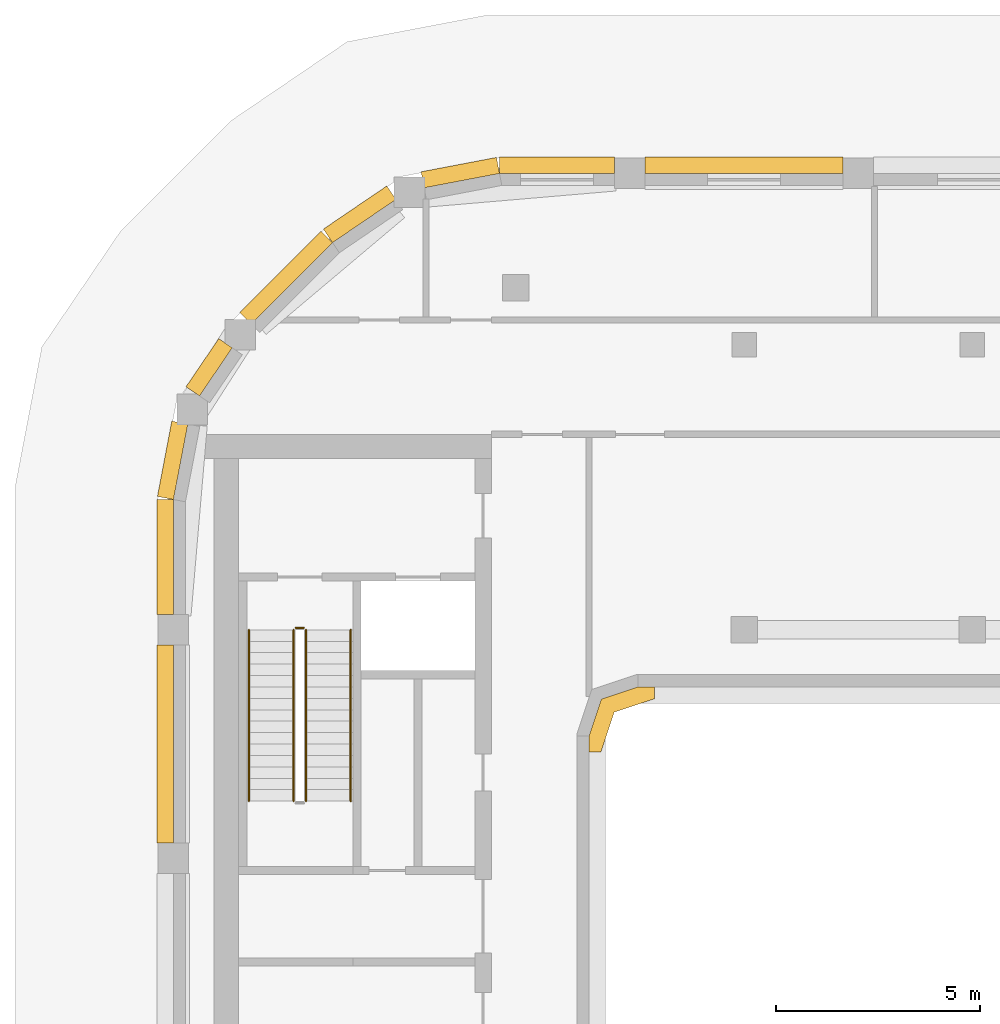
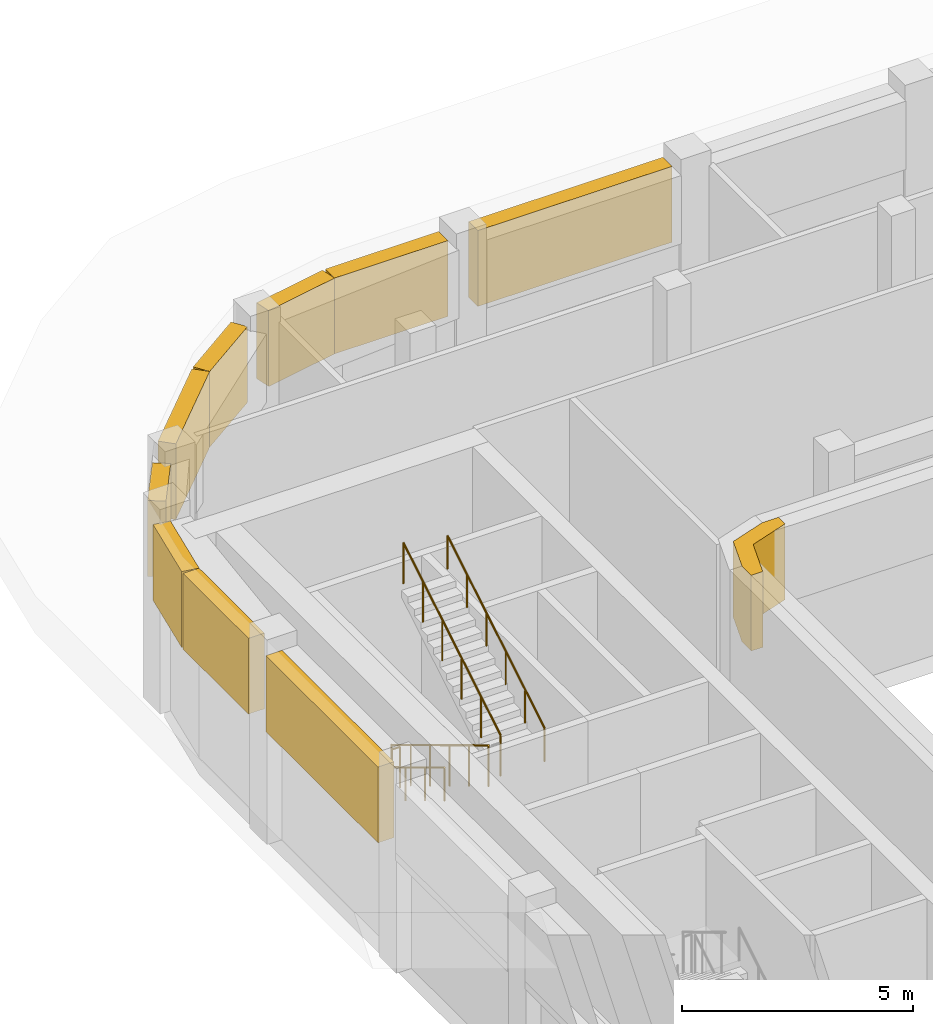
# One storey, part 15 of 17: 10 coverings, 5 railings.
"""IFC4 building model written with IfcOpenShell, lengths in metres."""

from ifc_helpers import new_model, si_unit, direction, frame, origin, origin_2d, place, context, subcontext, project, spatial, polyline, rectangle, circle, outline, extrude, material, type_object, element, save


model = new_model("IFC4")

# Units and contexts
model_context = context("Model", 3, precision=1e-05, world=origin(), true_north=direction((0.0, 1.0)))
body_context = subcontext(model_context, "Body", "Model", "MODEL_VIEW")
ifc_project = project(units=[si_unit("LENGTHUNIT", "METRE"), si_unit("AREAUNIT", "SQUARE_METRE"), si_unit("VOLUMEUNIT", "CUBIC_METRE"), si_unit("PLANEANGLEUNIT", "RADIAN"), si_unit("MASSUNIT", "GRAM", prefix="KILO")], contexts=[model_context])

# Site, building, storey
site_placement = place(None, origin())
site = spatial("IfcSite", under=ifc_project, at=site_placement, CompositionType="ELEMENT")
building_placement = place(site_placement, origin())
building = spatial("IfcBuilding", under=site, at=building_placement, Name="Kiln Ring Residences", CompositionType="ELEMENT")
storey_placement = place(building_placement, frame((0.0, 0.0, 289.10009765625)))
storey = spatial("IfcBuildingStorey", under=building, at=storey_placement, Name="L75", CompositionType="ELEMENT", Elevation=289.10009765625)

# Railings
ifc_material_1 = material(Name="Stainless steel", Category="steel")
railing_type_1 = type_object("IfcRailingType", Name="CORE-STAIR-GUARD", PredefinedType="GUARDRAIL", material=ifc_material_1)
railing_1_placement = place(storey_placement, frame((-22.25, 8.39990234375, 0.168701171875)))
element("IfcRailing", 1, at=railing_1_placement, inside=storey, type_object=railing_type_1, Name="L75 W-STN stair guard 1", PredefinedType="GUARDRAIL", context=body_context, shape_type="SweptSolid", body=[
    extrude(circle(Radius=0.02392578125, at=origin_2d()), frame((0.0, 0.0, 1.076171875), z_axis=(0.0, -0.856476492594, 0.516186030065), x_axis=(1.0, 0.0, 0.0)), (0.0, 0.0, 1.0), 4.90380859375),
    extrude(circle(Radius=0.02099609375, at=origin_2d()), origin(), (0.0, 0.0, 1.0), 1.052001953125),
    extrude(circle(Radius=0.02099609375, at=origin_2d()), frame((0.0, -0.840087890625, 0.50634765625)), (0.0, 0.0, 1.0), 1.052001953125),
    extrude(circle(Radius=0.02099609375, at=origin_2d()), frame((0.0, -1.679931640625, 1.012451171875)), (0.0, 0.0, 1.0), 1.052001953125),
    extrude(circle(Radius=0.02099609375, at=origin_2d()), frame((0.0, -2.52001953125, 1.518798828125)), (0.0, 0.0, 1.0), 1.052001953125),
    extrude(circle(Radius=0.02099609375, at=origin_2d()), frame((0.0, -3.35986328125, 2.02490234375)), (0.0, 0.0, 1.0), 1.052001953125),
    extrude(circle(Radius=0.02099609375, at=origin_2d()), frame((0.0, -4.199951171875, 2.53125)), (0.0, 0.0, 1.0), 1.052001953125),
])
railing_2_placement = place(storey_placement, frame((-21.949951171875, 4.199951171875, 2.86865234375)))
element("IfcRailing", 2, at=railing_2_placement, inside=storey, type_object=railing_type_1, Name="L75 W-STN stair guard 3", PredefinedType="GUARDRAIL", context=body_context, shape_type="SweptSolid", body=[
    extrude(circle(Radius=0.02392578125, at=origin_2d()), frame((0.0, 0.0, 1.076171875), z_axis=(0.0, 0.856476492594, 0.516186030065), x_axis=(-1.0, 0.0, 0.0)), (0.0, 0.0, 1.0), 4.90380859375),
    extrude(circle(Radius=0.02099609375, at=origin_2d()), origin(), (0.0, 0.0, 1.0), 1.052001953125),
    extrude(circle(Radius=0.02099609375, at=origin_2d()), frame((0.0, 0.840087890625, 0.50634765625)), (0.0, 0.0, 1.0), 1.052001953125),
    extrude(circle(Radius=0.02099609375, at=origin_2d()), frame((0.0, 1.679931640625, 1.012451171875)), (0.0, 0.0, 1.0), 1.052001953125),
    extrude(circle(Radius=0.02099609375, at=origin_2d()), frame((0.0, 2.52001953125, 1.518798828125)), (0.0, 0.0, 1.0), 1.052001953125),
    extrude(circle(Radius=0.02099609375, at=origin_2d()), frame((0.0, 3.35986328125, 2.02490234375)), (0.0, 0.0, 1.0), 1.052001953125),
    extrude(circle(Radius=0.02099609375, at=origin_2d()), frame((0.0, 4.199951171875, 2.53125)), (0.0, 0.0, 1.0), 1.052001953125),
])
railing_3_placement = place(storey_placement, frame((-22.199951171875, 8.449951171875, 0.0)))
element("IfcRailing", 3, at=railing_3_placement, inside=storey, type_object=railing_type_1, Name="L75 W-STN stair guard 4", PredefinedType="GUARDRAIL", context=body_context, shape_type="SweptSolid", body=[
    extrude(circle(Radius=0.02392578125, at=origin_2d()), frame((0.0, 0.0, 1.076171875), z_axis=(1.0, 0.0, 0.0), x_axis=(0.0, 1.0, 0.0)), (0.0, 0.0, 1.0), 0.199951171875),
    extrude(circle(Radius=0.02099609375, at=origin_2d()), origin(), (0.0, 0.0, 1.0), 1.052001953125),
    extrude(circle(Radius=0.02099609375, at=origin_2d()), frame((0.199951171875, 0.0, 0.0)), (0.0, 0.0, 1.0), 1.052001953125),
])
ifc_material_2 = material(Name="Stainless steel", Category="steel")
railing_type_2 = type_object("IfcRailingType", Name="CORE-STAIR-HANDRAIL", PredefinedType="HANDRAIL", material=ifc_material_2)
railing_4_placement = place(storey_placement, frame((-23.35009765625, 8.39990234375, 0.168701171875)))
element("IfcRailing", 4, at=railing_4_placement, inside=storey, type_object=railing_type_2, Name="L75 W-STN stair handrail 1", PredefinedType="HANDRAIL", context=body_context, shape_type="SweptSolid", body=[
    extrude(circle(Radius=0.02392578125, at=origin_2d()), frame((0.0, 0.0, 0.8759765625), z_axis=(0.0, -0.856476492594, 0.516186030065), x_axis=(1.0, 0.0, 0.0)), (0.0, 0.0, 1.0), 4.90380859375),
    extrude(circle(Radius=0.02099609375, at=origin_2d()), origin(), (0.0, 0.0, 1.0), 0.851806640625),
    extrude(circle(Radius=0.02099609375, at=origin_2d()), frame((0.0, -0.840087890625, 0.50634765625)), (0.0, 0.0, 1.0), 0.851806640625),
    extrude(circle(Radius=0.02099609375, at=origin_2d()), frame((0.0, -1.679931640625, 1.012451171875)), (0.0, 0.0, 1.0), 0.851806640625),
    extrude(circle(Radius=0.02099609375, at=origin_2d()), frame((0.0, -2.52001953125, 1.518798828125)), (0.0, 0.0, 1.0), 0.851806640625),
    extrude(circle(Radius=0.02099609375, at=origin_2d()), frame((0.0, -3.35986328125, 2.02490234375)), (0.0, 0.0, 1.0), 0.851806640625),
    extrude(circle(Radius=0.02099609375, at=origin_2d()), frame((0.0, -4.199951171875, 2.53125)), (0.0, 0.0, 1.0), 0.851806640625),
])
railing_5_placement = place(storey_placement, frame((-20.85009765625, 4.199951171875, 2.86865234375)))
element("IfcRailing", 5, at=railing_5_placement, inside=storey, type_object=railing_type_2, Name="L75 W-STN stair handrail 2", PredefinedType="HANDRAIL", context=body_context, shape_type="SweptSolid", body=[
    extrude(circle(Radius=0.02392578125, at=origin_2d()), frame((0.0, 0.0, 0.8759765625), z_axis=(0.0, 0.856476492594, 0.516186030065), x_axis=(-1.0, 0.0, 0.0)), (0.0, 0.0, 1.0), 4.90380859375),
    extrude(circle(Radius=0.02099609375, at=origin_2d()), origin(), (0.0, 0.0, 1.0), 0.851806640625),
    extrude(circle(Radius=0.02099609375, at=origin_2d()), frame((0.0, 0.840087890625, 0.50634765625)), (0.0, 0.0, 1.0), 0.851806640625),
    extrude(circle(Radius=0.02099609375, at=origin_2d()), frame((0.0, 1.679931640625, 1.012451171875)), (0.0, 0.0, 1.0), 0.851806640625),
    extrude(circle(Radius=0.02099609375, at=origin_2d()), frame((0.0, 2.52001953125, 1.518798828125)), (0.0, 0.0, 1.0), 0.851806640625),
    extrude(circle(Radius=0.02099609375, at=origin_2d()), frame((0.0, 3.35986328125, 2.02490234375)), (0.0, 0.0, 1.0), 0.851806640625),
    extrude(circle(Radius=0.02099609375, at=origin_2d()), frame((0.0, 4.199951171875, 2.53125)), (0.0, 0.0, 1.0), 0.851806640625),
])

# Coverings
ifc_material_3 = material(Name="Concrete C35/45, exposed aggregate finish", Category="concrete")
covering_type = type_object("IfcCoveringType", Name="TIE BAND 2000 x 400", PredefinedType="CLADDING", material=ifc_material_3)
covering_1_placement = place(storey_placement, frame((-11.199951171875, 19.800048828125, 3.0), z_axis=(0.0, 0.0, 1.0), x_axis=(-1.0, 0.0, 0.0)))
element("IfcCovering", 6, at=covering_1_placement, inside=storey, type_object=covering_type, Name="TIE BAND L75", PredefinedType="CLADDING", context=body_context, shape_type="SweptSolid", body=[
    extrude(rectangle(XDim=4.85009765625, YDim=0.39990234375, at=origin_2d()), origin(), (0.0, 0.0, 1.0), 2.0),
])
covering_2_placement = place(storey_placement, frame((-15.78759765625, 19.800048828125, 3.0), z_axis=(0.0, 0.0, 1.0), x_axis=(-1.0, 0.0, 0.0)))
element("IfcCovering", 7, at=covering_2_placement, inside=storey, type_object=covering_type, Name="TIE BAND L75", PredefinedType="CLADDING", context=body_context, shape_type="SweptSolid", body=[
    extrude(rectangle(XDim=2.824951171875, YDim=0.39990234375, at=origin_2d()), origin(), (0.0, 0.0, 1.0), 2.0),
])
for number, where, z_axis, x_axis, name in (
    (8, (-18.161376953125, 19.6201171875, 3.0), (0.0, 0.0, 1.0), (-0.98229025778, -0.187365550382, 0.0), "TIE BAND L75"),
    (9, (-20.631591796875, 18.596923828125, 3.0), (0.0, 0.0, 1.0), (-0.827071553606, -0.562096651134, 0.0), "TIE BAND L75"),
):
    element("IfcCovering", number, at=place(storey_placement, frame(where, z_axis=z_axis, x_axis=x_axis)), inside=storey, type_object=covering_type, Name=name, PredefinedType="CLADDING", context=body_context, shape_type="SweptSolid", body=[
        extrude(rectangle(XDim=1.881103515625, YDim=0.39990234375, at=origin_2d()), origin(), (0.0, 0.0, 1.0), 2.0),
    ])
covering_3_placement = place(storey_placement, frame((-22.437255859375, 17.045654296875, 3.0), z_axis=(0.0, 0.0, 1.0), x_axis=(-0.707106781187, -0.707106781187, 0.0)))
element("IfcCovering", 10, at=covering_3_placement, inside=storey, type_object=covering_type, Name="TIE BAND L75", PredefinedType="CLADDING", context=body_context, shape_type="SweptSolid", body=[
    extrude(rectangle(XDim=2.824951171875, YDim=0.39990234375, at=origin_2d()), origin(), (0.0, 0.0, 1.0), 2.0),
])
covering_4_placement = place(storey_placement, frame((-24.32470703125, 14.84375, 3.0), z_axis=(0.0, 0.0, 1.0), x_axis=(-0.562096651134, -0.827071553606, 0.0)))
element("IfcCovering", 11, at=covering_4_placement, inside=storey, type_object=covering_type, Name="TIE BAND L75", PredefinedType="CLADDING", context=body_context, shape_type="SweptSolid", body=[
    extrude(rectangle(XDim=1.427001953125, YDim=0.39990234375, at=origin_2d()), origin(), (0.0, 0.0, 1.0), 2.0),
])
covering_5_placement = place(storey_placement, frame((-25.22021484375, 12.561279296875, 3.0), z_axis=(0.0, 0.0, 1.0), x_axis=(-0.187365550382, -0.98229025778, 0.0)))
element("IfcCovering", 12, at=covering_5_placement, inside=storey, type_object=covering_type, Name="TIE BAND L75", PredefinedType="CLADDING", context=body_context, shape_type="SweptSolid", body=[
    extrude(rectangle(XDim=1.881103515625, YDim=0.39990234375, at=origin_2d()), origin(), (0.0, 0.0, 1.0), 2.0),
])
covering_6_placement = place(storey_placement, frame((-25.39990234375, 10.1875, 3.0), z_axis=(0.0, 0.0, 1.0), x_axis=(0.0, -1.0, 0.0)))
element("IfcCovering", 13, at=covering_6_placement, inside=storey, type_object=covering_type, Name="TIE BAND L75", PredefinedType="CLADDING", context=body_context, shape_type="SweptSolid", body=[
    extrude(rectangle(XDim=2.824951171875, YDim=0.39990234375, at=origin_2d()), origin(), (0.0, 0.0, 1.0), 2.0),
])
covering_7_placement = place(storey_placement, frame((-25.39990234375, 5.60009765625, 3.0), z_axis=(0.0, 0.0, 1.0), x_axis=(0.0, -1.0, 0.0)))
element("IfcCovering", 14, at=covering_7_placement, inside=storey, type_object=covering_type, Name="TIE BAND L75", PredefinedType="CLADDING", context=body_context, shape_type="SweptSolid", body=[
    extrude(rectangle(XDim=4.85009765625, YDim=0.39990234375, at=origin_2d()), origin(), (0.0, 0.0, 1.0), 2.0),
])
covering_8_placement = place(storey_placement, frame((0.0, 0.0, 3.0)))
element("IfcCovering", 15, at=covering_8_placement, inside=storey, type_object=covering_type, Name="TIE BAND L75", PredefinedType="CLADDING", context=body_context, shape_type="SweptSolid", body=[
    extrude(outline(polyline([(-14.3837890625, 6.3837890625), (-13.39990234375, 6.711669921875), (-13.39990234375, 7.0), (-13.800048828125, 7.0), (-14.699951171875, 6.699951171875), (-15.0, 5.800048828125), (-15.0, 5.39990234375), (-14.711669921875, 5.39990234375), (-14.3837890625, 6.3837890625)])), origin(), (0.0, 0.0, 1.0), 2.0),
])

save(model, "model.ifc")
